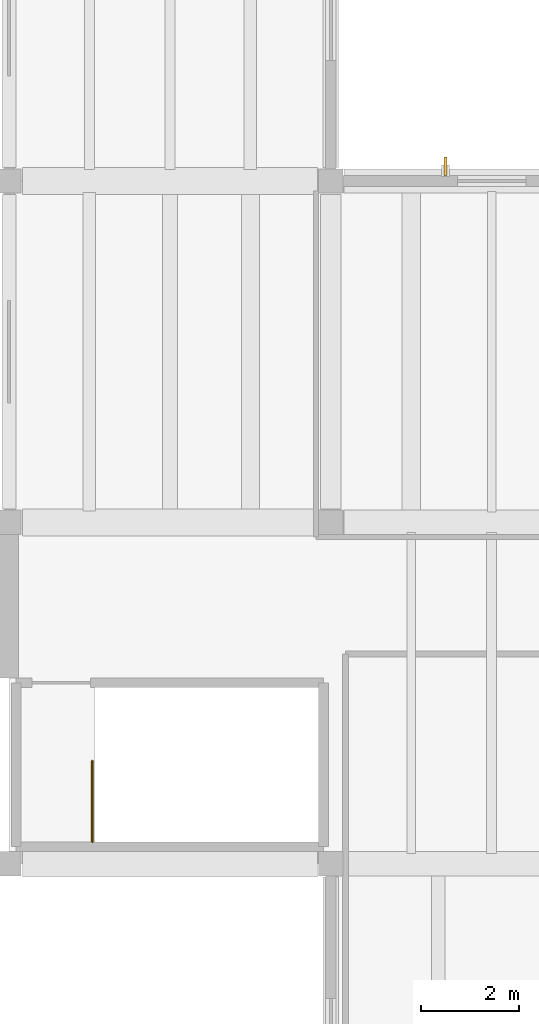
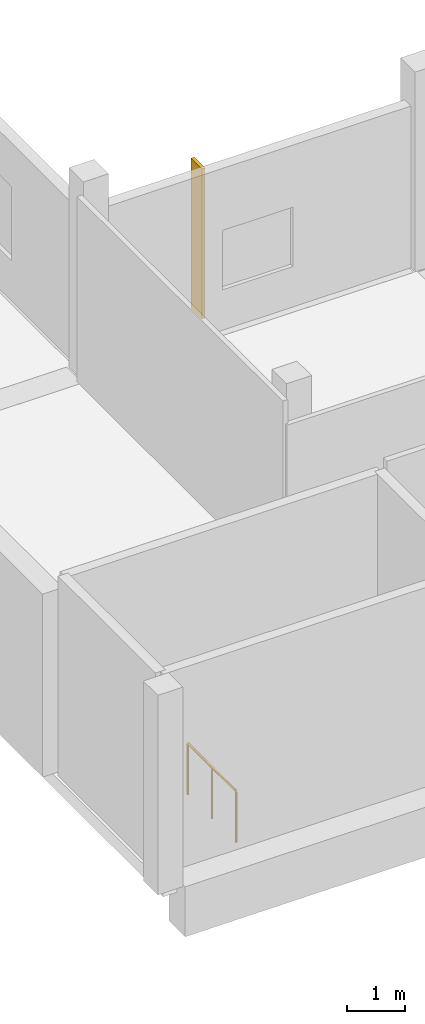
# One storey, part 59 of 65: 1 railing, 1 shading device.
"""IFC4 building model written with IfcOpenShell, lengths in metres."""

import ifcopenshell
import ifcopenshell.guid

model = None  # the IFC model being written
_history = None  # IfcOwnerHistory: only IFC2X3 demands one
_inside = {}  # id of a spatial element -> (the spatial element, [elements in it])
_under = {}  # id of a project, library or spatial element -> (it, [spatial elements below it])
_declared = {}  # id of a project -> (the project, [libraries it declares])
_typed = {}  # id of a type object -> (the type object, [elements of that type])
_made_of = {}  # id of a material, layer set ... -> (it, [elements and type objects made of it])


def new_model(schema):
    """Start an empty IFC model of exactly this schema.

    Asked for "IFC4X3", IfcOpenShell would pick the latest addendum, in which some entities
    have other attributes; the version numbers below select the first issue.
    IFC2X3 requires an IfcOwnerHistory on every rooted entity: one is made here for all.
    """
    global model, _history
    if schema == "IFC4X3":
        model = ifcopenshell.file(schema_version=(4, 3, 0, 0))
    else:
        model = ifcopenshell.file(schema=schema)
    _inside.clear()
    _under.clear()
    _declared.clear()
    _typed.clear()
    _made_of.clear()
    _history = None
    if model.schema == "IFC2X3":
        org = make("IfcOrganization", Name="unknown")
        user = make(
            "IfcPersonAndOrganization",
            ThePerson=make("IfcPerson", FamilyName="unknown"),
            TheOrganization=org,
        )
        app = make(
            "IfcApplication",
            ApplicationDeveloper=org,
            Version="unknown",
            ApplicationFullName="unknown",
            ApplicationIdentifier="unknown",
        )
        _history = make(
            "IfcOwnerHistory",
            OwningUser=user,
            OwningApplication=app,
            ChangeAction="ADDED",
            CreationDate=0,
        )
    return model


def make(cls, **values):
    """One entity of the class cls with the attributes given. An attribute that is None is left unset."""
    return model.create_entity(
        cls, **{name: value for name, value in values.items() if value is not None}
    )


def rooted(cls, **values):
    """An entity with a GlobalId (a new one), such as an element, a storey or a relation."""
    return make(cls, GlobalId=ifcopenshell.guid.new(), OwnerHistory=_history, **values)


def si_unit(unit_type, name, prefix=None):
    """IfcSIUnit, for example si_unit("LENGTHUNIT", "METRE", prefix="MILLI")."""
    return make("IfcSIUnit", UnitType=unit_type, Prefix=prefix, Name=name)


def assignment(units):
    """IfcUnitAssignment: the units of a project."""
    return None if units is None else make("IfcUnitAssignment", Units=units)


def point(xyz):
    """IfcCartesianPoint."""
    return None if xyz is None else make("IfcCartesianPoint", Coordinates=xyz)


def direction(xyz):
    """IfcDirection."""
    return None if xyz is None else make("IfcDirection", DirectionRatios=xyz)


def frame(location, z_axis=None, x_axis=None):
    """IfcAxis2Placement3D, a coordinate frame: its origin and axes. An axis left out is left unset."""
    return make(
        "IfcAxis2Placement3D",
        Location=point(location),
        Axis=direction(z_axis),
        RefDirection=direction(x_axis),
    )


def frame_2d(location, x_axis=None):
    """IfcAxis2Placement2D, a coordinate frame in the plane: its origin and x axis."""
    return make(
        "IfcAxis2Placement2D", Location=point(location), RefDirection=direction(x_axis)
    )


def origin():
    """The frame at (0, 0, 0) with its axes left unset."""
    return frame((0.0, 0.0, 0.0))


def origin_2d():
    """The frame at (0, 0) in the plane with its x axis left unset."""
    return frame_2d((0.0, 0.0))


def place(relative_to, where):
    """IfcLocalPlacement: puts the frame where relative to a parent placement (None: the world)."""
    return make(
        "IfcLocalPlacement", PlacementRelTo=relative_to, RelativePlacement=where
    )


def context(
    kind, dimensions, precision=None, world=None, true_north=None, identifier=None
):
    """IfcGeometricRepresentationContext, for example the 3D "Model" context."""
    return make(
        "IfcGeometricRepresentationContext",
        ContextIdentifier=identifier,
        ContextType=kind,
        CoordinateSpaceDimension=dimensions,
        Precision=precision,
        WorldCoordinateSystem=world,
        TrueNorth=true_north,
    )


def subcontext(parent, identifier, kind, view, scale=None):
    """IfcGeometricRepresentationSubContext, for example "Body" below "Model"."""
    return make(
        "IfcGeometricRepresentationSubContext",
        ContextIdentifier=identifier,
        ContextType=kind,
        ParentContext=parent,
        TargetScale=scale,
        TargetView=view,
    )


def project(units=None, contexts=None):
    """IfcProject with its units and contexts."""
    return rooted(
        "IfcProject",
        Name="project",
        RepresentationContexts=contexts,
        UnitsInContext=assignment(units),
    )


def spatial(cls, under=None, at=None, **own):
    """A site, building, storey or space (cls), placed at a placement, below another one or the project."""
    s = rooted(cls, ObjectPlacement=at, **own)
    if under is not None:
        _under.setdefault(under.id(), (under, []))[1].append(s)
    return s


def profile(cls, at=None, kind="AREA", **sizes):
    """A parametric profile (cls). Its sizes go by their IFC names, for example OverallWidth=200.0."""
    return make(cls, ProfileType=kind, Position=at, **sizes)


def rectangle(**sizes):
    """IfcRectangleProfileDef."""
    return profile("IfcRectangleProfileDef", **sizes)


def circle(**sizes):
    """IfcCircleProfileDef."""
    return profile("IfcCircleProfileDef", **sizes)


def extrude(swept, where, along, depth):
    """IfcExtrudedAreaSolid: the profile swept, set in the frame where, extruded along a direction by depth."""
    return make(
        "IfcExtrudedAreaSolid",
        SweptArea=swept,
        Position=where,
        ExtrudedDirection=direction(along),
        Depth=depth,
    )


def shape(context_of_items, identifier, shape_type, items):
    """IfcShapeRepresentation: the items that make up one representation, for example the "Body"."""
    return make(
        "IfcShapeRepresentation",
        ContextOfItems=context_of_items,
        RepresentationIdentifier=identifier,
        RepresentationType=shape_type,
        Items=items,
    )


def material(Name=None, Category=None):
    """IfcMaterial."""
    return make("IfcMaterial", Name=Name, Category=Category)


def material_profile(
    of_material, cross_section, Name=None, Category=None, Priority=None
):
    """IfcMaterialProfile: a cross section and its material."""
    return make(
        "IfcMaterialProfile",
        Name=Name,
        Material=of_material,
        Profile=cross_section,
        Priority=Priority,
        Category=Category,
    )


def profile_set(profiles, Name=None, composite=None):
    """IfcMaterialProfileSet."""
    return make(
        "IfcMaterialProfileSet",
        Name=Name,
        MaterialProfiles=profiles,
        CompositeProfile=composite,
    )


def made_of(thing, what):
    """Note that an element or type object is made of a material, layer set ...; save() writes the relation."""
    if what is not None:
        _made_of.setdefault(what.id(), (what, []))[1].append(thing)
    return thing


def type_object(cls, material=None, **own):
    """A type object (cls), such as IfcWallType, which elements share."""
    return made_of(rooted(cls, **own), material)


def element(
    cls,
    number,
    at=None,
    inside=None,
    cuts=None,
    type_object=None,
    material=None,
    context=None,
    identifier="Body",
    shape_type=None,
    held_by="IfcProductDefinitionShape",
    body=None,
    shapes=None,
    **own,
):
    """One element of the class cls, such as IfcWall. Its Tag is "e" and its number.

    at: its placement. inside: the storey or other place that contains it. cuts: it is an
    opening in that element (IfcRelVoidsElement). A single representation is given by context,
    identifier, shape_type and body (its items); several are given by shapes. held_by: the class
    of the entity that holds the representations. save() writes the other relations.
    """
    e = rooted(cls, Tag="e%d" % number, ObjectPlacement=at, **own)
    if body is not None:
        shapes = [shape(context, identifier, shape_type, body)]
    if shapes is not None:
        e.Representation = make(held_by, Representations=shapes)
    if inside is not None:
        _inside.setdefault(inside.id(), (inside, []))[1].append(e)
    if cuts is not None:
        rooted(
            "IfcRelVoidsElement", RelatingBuildingElement=cuts, RelatedOpeningElement=e
        )
    if type_object is not None:
        _typed.setdefault(type_object.id(), (type_object, []))[1].append(e)
    return made_of(e, material)


def aggregate(whole, parts):
    """IfcRelAggregates: a whole, such as a stair, and the parts it consists of."""
    return rooted("IfcRelAggregates", RelatingObject=whole, RelatedObjects=parts)


def save(model, path):
    """Write the relations noted so far, then the file.

    IfcRelAggregates (storeys below a building ...), IfcRelContainedInSpatialStructure (elements
    in a storey), IfcRelDefinesByType, IfcRelAssociatesMaterial and IfcRelDeclares: one each for
    every whole, place, type object, material and project.
    """
    for whole, parts in _under.values():
        aggregate(whole, parts)
    for where, things in _inside.values():
        rooted(
            "IfcRelContainedInSpatialStructure",
            RelatedElements=things,
            RelatingStructure=where,
        )
    for kind, things in _typed.values():
        rooted("IfcRelDefinesByType", RelatedObjects=things, RelatingType=kind)
    for what, things in _made_of.values():
        rooted("IfcRelAssociatesMaterial", RelatedObjects=things, RelatingMaterial=what)
    for by, libraries in _declared.values():
        rooted("IfcRelDeclares", RelatingContext=by, RelatedDefinitions=libraries)
    model.write(path)


model = new_model("IFC4")

# Units and contexts
model_context = context("Model", 3, precision=1e-05, world=origin(), true_north=direction((0.0, 1.0)))
body_context = subcontext(model_context, "Body", "Model", "MODEL_VIEW")
ifc_project = project(units=[si_unit("LENGTHUNIT", "METRE"), si_unit("AREAUNIT", "SQUARE_METRE"), si_unit("VOLUMEUNIT", "CUBIC_METRE"), si_unit("PLANEANGLEUNIT", "RADIAN"), si_unit("MASSUNIT", "GRAM", prefix="KILO")], contexts=[model_context])

# Site, building, storey
site_placement = place(None, origin())
site = spatial("IfcSite", under=ifc_project, at=site_placement, CompositionType="ELEMENT")
building_placement = place(site_placement, origin())
building = spatial("IfcBuilding", under=site, at=building_placement, Name="Ciguamira Faculty of Natural Sciences", CompositionType="ELEMENT")
storey_placement = place(building_placement, frame((0.0, 0.0, 12.60009765625)))
storey = spatial("IfcBuildingStorey", under=building, at=storey_placement, Name="L03", CompositionType="ELEMENT", Elevation=12.60009765625)

# Railing
ifc_material_1 = material(Name="Stainless steel balustrade", Category="steel")
railing_type = type_object("IfcRailingType", Name="Guardrail_GR01", PredefinedType="GUARDRAIL", material=ifc_material_1)
railing_placement = place(storey_placement, frame((59.010009765625, 45.449951171875, 0.0)))
element("IfcRailing", 1, at=railing_placement, inside=storey, type_object=railing_type, Name="L03 ST-W1 top well guard 1", PredefinedType="GUARDRAIL", context=body_context, shape_type="SweptSolid", body=[
    extrude(circle(Radius=0.02392578125, at=origin_2d()), frame((0.0, 0.0, 1.076171875), z_axis=(0.0, 1.0, 0.0), x_axis=(-1.0, 0.0, 0.0)), (0.0, 0.0, 1.0), 1.66015625),
    extrude(circle(Radius=0.02099609375, at=origin_2d()), origin(), (0.0, 0.0, 1.0), 1.052001953125),
    extrude(circle(Radius=0.02099609375, at=origin_2d()), frame((0.0, 0.830078125, 0.0)), (0.0, 0.0, 1.0), 1.052001953125),
    extrude(circle(Radius=0.02099609375, at=origin_2d()), frame((0.0, 1.66015625, 0.0)), (0.0, 0.0, 1.0), 1.052001953125),
])

# Shading device
ifc_material_2 = material(Name="Anodized bronze sunshade fin")
ifc_material_profile = material_profile(ifc_material_2, rectangle(XDim=0.06494140625, YDim=0.3798828125, at=origin_2d()), Name="BRZ-FIN-65X380")
ifc_profile_set = profile_set([ifc_material_profile], Name="Anodized bronze sunshade fin")
shading_device_type = type_object("IfcShadingDeviceType", Name="SunFin_SF01", PredefinedType="USERDEFINED", material=ifc_profile_set)
shading_device_placement = place(storey_placement, frame((66.25, 59.300048828125, 0.199951171875), z_axis=(0.0, 0.0, 1.0), x_axis=(1.0, 0.0, 0.0)))
element("IfcShadingDevice", 2, at=shading_device_placement, inside=storey, type_object=shading_device_type, Name="L03 bronze vertical sunshade fin 0024", ObjectType="SUNSHADE FIN", PredefinedType="USERDEFINED", context=body_context, shape_type="SweptSolid", body=[
    extrude(rectangle(XDim=0.06494140625, YDim=0.3798828125, at=origin_2d()), origin(), (0.0, 0.0, 1.0), 3.155029296875),
])

save(model, "model.ifc")
